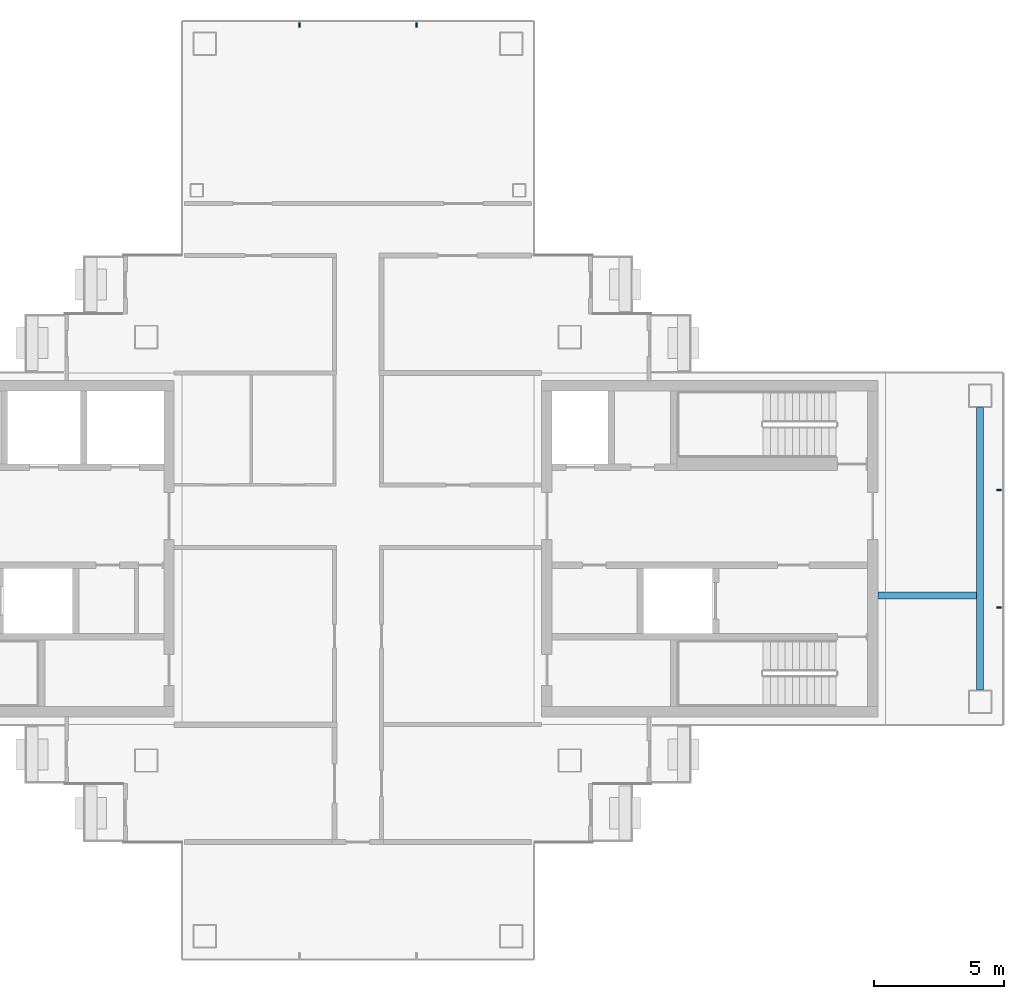
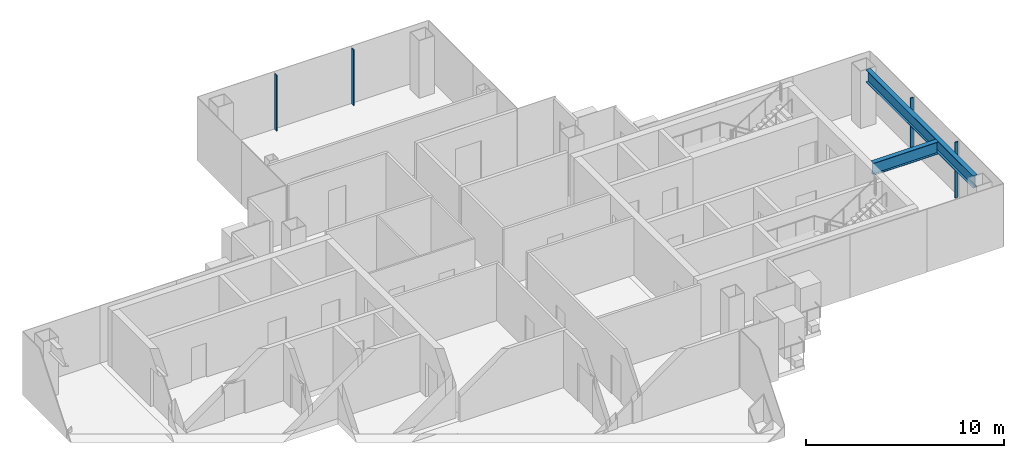
# One storey, part 6 of 17: 4 members, 2 beams, 2 elements without a shape of their own.
"""IFC4 building model written with IfcOpenShell, lengths in metres."""

from ifc_helpers import new_model, si_unit, direction, frame, origin, origin_2d, place, context, subcontext, project, spatial, rectangle, i_section, extrude, material, layer, layer_set, material_profile, profile_set, type_object, element, aggregate, save


model = new_model("IFC4")

# Units and contexts
model_context = context("Model", 3, precision=1e-05, world=origin(), true_north=direction((0.0, 1.0)))
body_context = subcontext(model_context, "Body", "Model", "MODEL_VIEW")
ifc_project = project(units=[si_unit("LENGTHUNIT", "METRE"), si_unit("AREAUNIT", "SQUARE_METRE"), si_unit("VOLUMEUNIT", "CUBIC_METRE"), si_unit("PLANEANGLEUNIT", "RADIAN"), si_unit("MASSUNIT", "GRAM", prefix="KILO")], contexts=[model_context])

# Site, building, storey
site_placement = place(None, origin())
site = spatial("IfcSite", under=ifc_project, at=site_placement, CompositionType="ELEMENT")
building_placement = place(site_placement, origin())
building = spatial("IfcBuilding", under=site, at=building_placement, Name="Shamsa Quay Exchange Towers", CompositionType="ELEMENT")
storey_placement = place(building_placement, frame((0.0, 0.0, 238.199951171875)))
storey = spatial("IfcBuildingStorey", under=building, at=storey_placement, Name="L57", CompositionType="ELEMENT", Elevation=238.199951171875)

# Curtain wall, members
ifc_material_1 = material(Name="Aluminium EN AW-6063 T6, black anodised", Category="aluminium")
ifc_layer = layer(ifc_material_1, 0.280029296875)
ifc_layer_set = layer_set([ifc_layer], Name="CW-1 UNITISED VISION GLASS")
curtain_wall_type = type_object("IfcCurtainWallType", Name="CW-1 UNITISED VISION GLASS", PredefinedType="NOTDEFINED", material=ifc_layer_set)
curtain_wall_1_placement = place(storey_placement, origin())
curtain_wall_1 = element("IfcCurtainWall", 1, at=curtain_wall_1_placement, inside=storey, type_object=curtain_wall_type, Name="CW1 T2-END-V- L57", PredefinedType="NOTDEFINED")
ifc_material_profile_1 = material_profile(ifc_material_1, rectangle(XDim=0.179931640625, YDim=0.06005859375, at=origin_2d()), Name="MU60x180")
ifc_profile_set_1 = profile_set([ifc_material_profile_1], Name="Aluminium EN AW-6063 T6, black anodised")
member_type = type_object("IfcMemberType", Name="CW1 MULLION 60x180", PredefinedType="MULLION", material=ifc_profile_set_1)
member_1_placement = place(storey_placement, frame((58.35009765625, -2.25, 0.0), z_axis=(0.0, 0.0, 1.0), x_axis=(-1.0, 0.0, 0.0)))
member_1 = element("IfcMember", 2, at=member_1_placement, type_object=member_type, Name="CW1 mullion", PredefinedType="MULLION", context=body_context, shape_type="SweptSolid", body=[
    extrude(rectangle(XDim=0.179931640625, YDim=0.06005859375, at=origin_2d()), origin(), (0.0, 0.0, 1.0), 3.449951171875),
])
member_2_placement = place(storey_placement, frame((58.35009765625, 2.25, 0.0), z_axis=(0.0, 0.0, 1.0), x_axis=(-1.0, 0.0, 0.0)))
member_2 = element("IfcMember", 3, at=member_2_placement, type_object=member_type, Name="CW1 mullion", PredefinedType="MULLION", context=body_context, shape_type="SweptSolid", body=[
    extrude(rectangle(XDim=0.179931640625, YDim=0.06005859375, at=origin_2d()), origin(), (0.0, 0.0, 1.0), 3.449951171875),
])
aggregate(curtain_wall_1, [member_1, member_2])

curtain_wall_2_placement = place(storey_placement, origin())
curtain_wall_2 = element("IfcCurtainWall", 4, at=curtain_wall_2_placement, inside=storey, type_object=curtain_wall_type, Name="CW1 T2-END-U+ L57", PredefinedType="NOTDEFINED")
member_3_placement = place(storey_placement, frame((36.0, 20.10009765625, 0.0), z_axis=(0.0, 0.0, 1.0), x_axis=(0.0, -1.0, 0.0)))
member_3 = element("IfcMember", 5, at=member_3_placement, type_object=member_type, Name="CW1 mullion", PredefinedType="MULLION", context=body_context, shape_type="SweptSolid", body=[
    extrude(rectangle(XDim=0.179931640625, YDim=0.06005859375, at=origin_2d()), origin(), (0.0, 0.0, 1.0), 3.449951171875),
])
member_4_placement = place(storey_placement, frame((31.5, 20.10009765625, 0.0), z_axis=(0.0, 0.0, 1.0), x_axis=(0.0, -1.0, 0.0)))
member_4 = element("IfcMember", 6, at=member_4_placement, type_object=member_type, Name="CW1 mullion", PredefinedType="MULLION", context=body_context, shape_type="SweptSolid", body=[
    extrude(rectangle(XDim=0.179931640625, YDim=0.06005859375, at=origin_2d()), origin(), (0.0, 0.0, 1.0), 3.449951171875),
])
aggregate(curtain_wall_2, [member_3, member_4])

# Beams
ifc_material_2 = material(Name="Steel S355", Category="steel")
ifc_material_profile_2 = material_profile(ifc_material_2, i_section(OverallWidth=0.26611328125, OverallDepth=0.7578125, WebThickness=0.013916015625, FlangeThickness=0.019287109375, at=origin_2d()), Name="W30x108")
ifc_profile_set_2 = profile_set([ifc_material_profile_2], Name="Steel S355")
beam_type = type_object("IfcBeamType", Name="End-zone beam W30x108", PredefinedType="BEAM", material=ifc_profile_set_2)
beam_1_placement = place(storey_placement, frame((57.625, -5.425048828125, 3.171142578125), z_axis=(0.0, 1.0, 0.0), x_axis=(-1.0, 0.0, 0.0)))
element("IfcBeam", 7, at=beam_1_placement, inside=storey, type_object=beam_type, Name="End beam T2 V- end zone L57", PredefinedType="BEAM", context=body_context, shape_type="SweptSolid", body=[
    extrude(i_section(OverallWidth=0.26611328125, OverallDepth=0.7578125, WebThickness=0.013916015625, FlangeThickness=0.019287109375, at=origin_2d()), origin(), (0.0, 0.0, 1.0), 10.85009765625),
])
beam_2_placement = place(storey_placement, frame((53.699951171875, -1.800048828125, 3.171142578125), z_axis=(1.0, 0.0, 0.0), x_axis=(0.0, 1.0, 0.0)))
element("IfcBeam", 8, at=beam_2_placement, inside=storey, type_object=beam_type, Name="Spine beam T2 V- end zone L57", PredefinedType="BEAM", context=body_context, shape_type="SweptSolid", body=[
    extrude(i_section(OverallWidth=0.26611328125, OverallDepth=0.7578125, WebThickness=0.013916015625, FlangeThickness=0.019287109375, at=origin_2d()), origin(), (0.0, 0.0, 1.0), 3.7919921875),
])

save(model, "model.ifc")
